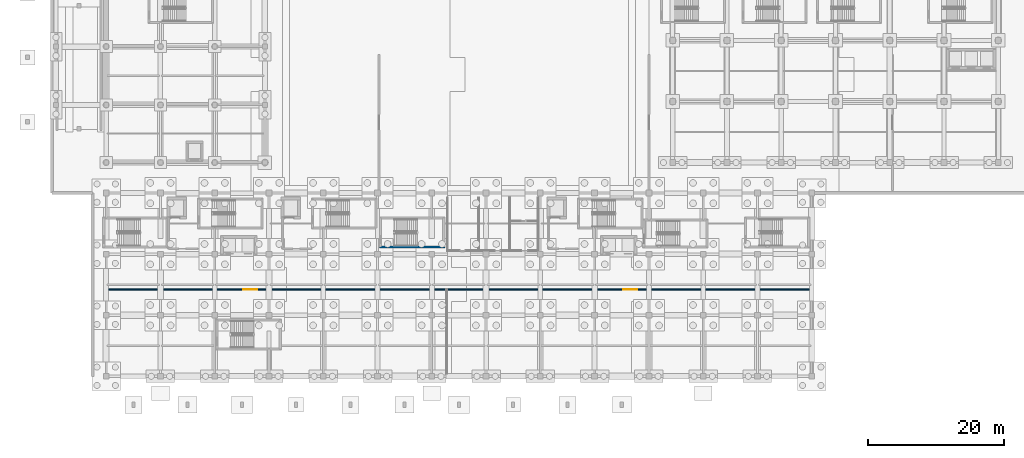
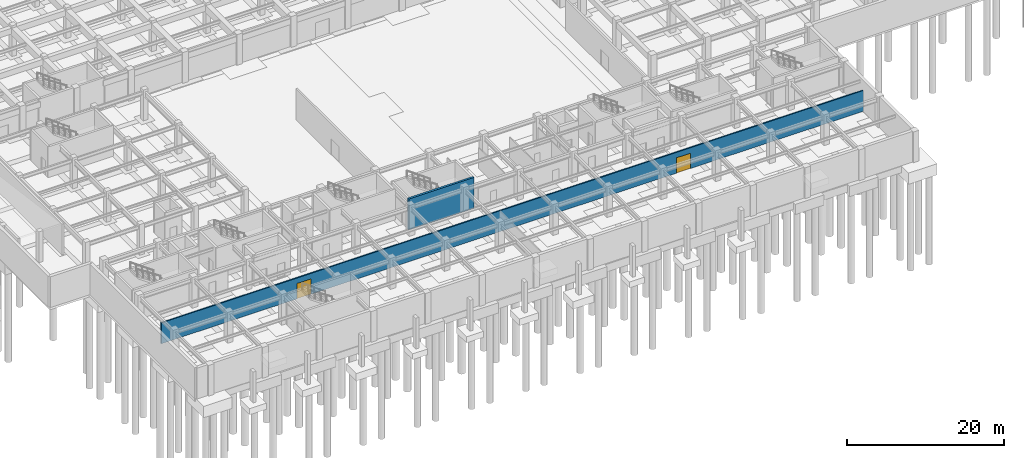
# One storey, part 28 of 48: 2 doors, 2 walls, 2 openings.
"""IFC4 building model written with IfcOpenShell, lengths in metres."""

from ifc_helpers import new_model, si_unit, direction, frame, frame_2d, origin, place, context, subcontext, project, spatial, rectangle, extrude, material, layer, layer_set, type_object, element, fill, save


model = new_model("IFC4")

# Units and contexts
model_context = context("Model", 3, precision=1e-05, world=origin(), true_north=direction((0.0, 1.0)))
body_context = subcontext(model_context, "Body", "Model", "MODEL_VIEW")
ifc_project = project(units=[si_unit("LENGTHUNIT", "METRE"), si_unit("AREAUNIT", "SQUARE_METRE"), si_unit("VOLUMEUNIT", "CUBIC_METRE"), si_unit("PLANEANGLEUNIT", "RADIAN"), si_unit("MASSUNIT", "GRAM", prefix="KILO")], contexts=[model_context])

# Site, building, storey
site_placement = place(None, origin())
site = spatial("IfcSite", under=ifc_project, at=site_placement, CompositionType="ELEMENT")
building_placement = place(site_placement, origin())
building = spatial("IfcBuilding", under=site, at=building_placement, Name="Tlacozan Convention Centre", CompositionType="ELEMENT")
storey_placement = place(building_placement, frame((0.0, 0.0, -4.800048828125)))
storey = spatial("IfcBuildingStorey", under=building, at=storey_placement, Name="B01", CompositionType="ELEMENT", Elevation=-4.800048828125)

# Wall, openings, doors
ifc_material_1 = material(Name="Fire-Rated Gypsum Stud Partition Assembly")
ifc_layer_1 = layer(ifc_material_1, 0.179931640625)
ifc_layer_set_1 = layer_set([ifc_layer_1], Name="Fire-Rated Gypsum Stud Partition Assembly")
wall_type_1 = type_object("IfcWallType", Name="Corridor Rated Partition 180", PredefinedType="PARTITIONING", material=ifc_layer_set_1)
wall_1_placement = place(storey_placement, frame((8.199951171875, 12.800048828125, 0.0), z_axis=(0.0, 0.0, 1.0), x_axis=(1.0, 0.0, 0.0)))
wall_1 = element("IfcWall", 1, at=wall_1_placement, inside=storey, type_object=wall_type_1, Name="B01 Corridor Rated Partition 180 561", PredefinedType="PARTITIONING", context=body_context, shape_type="SweptSolid", body=[
    extrude(rectangle(XDim=103.60009765625, YDim=0.179931640625, at=frame_2d((51.800048828125, 0.0))), origin(), (0.0, 0.0, 1.0), 3.25),
])
opening_1_placement = place(wall_1_placement, frame((20.0, 0.0, 0.0)))
opening_1 = element("IfcOpeningElement", 2, at=opening_1_placement, cuts=wall_1, Name="Opening FD-04", PredefinedType="OPENING", context=body_context, shape_type="SweptSolid", body=[
    extrude(rectangle(XDim=2.10009765625, YDim=2.39990234375, at=frame_2d((1.050048828125, 1.199951171875))), frame((0.0, 0.099853515625, 0.0), z_axis=(0.0, -1.0, 0.0), x_axis=(1.0, 0.0, 0.0)), (0.0, 0.0, 1.0), 0.199951171875),
])
opening_2_placement = place(wall_1_placement, frame((76.0, 0.0, 0.0)))
opening_2 = element("IfcOpeningElement", 3, at=opening_2_placement, cuts=wall_1, Name="Opening FD-04", PredefinedType="OPENING", context=body_context, shape_type="SweptSolid", body=[
    extrude(rectangle(XDim=2.10009765625, YDim=2.39990234375, at=frame_2d((1.050048828125, 1.199951171875))), frame((0.0, 0.099853515625, 0.0), z_axis=(0.0, -1.0, 0.0), x_axis=(1.0, 0.0, 0.0)), (0.0, 0.0, 1.0), 0.199951171875),
])
ifc_material_2 = material(Name="Fire-Rated Insulated Steel Door Leaf", Category="steel")
door_type = type_object("IfcDoorType", Name="Fire Door Compartment Double 2100x2400 FD90", OperationType="DOUBLE_DOOR_SINGLE_SWING", PredefinedType="DOOR", material=ifc_material_2)
door_1_placement = place(opening_1_placement, origin())
door_1 = element("IfcDoor", 4, at=door_1_placement, inside=storey, type_object=door_type, Name="B01 Fire Door Compartment Double 2100x2400 FD90 146", OperationType="DOUBLE_DOOR_SINGLE_SWING", OverallHeight=2.39990234375, OverallWidth=2.10009765625, PredefinedType="DOOR", context=body_context, shape_type="SweptSolid", body=[
    extrude(rectangle(XDim=2.10009765625, YDim=2.39990234375, at=frame_2d((1.050048828125, 1.199951171875))), frame((0.0, 0.02490234375, 0.0), z_axis=(0.0, -1.0, 0.0), x_axis=(1.0, 0.0, 0.0)), (0.0, 0.0, 1.0), 0.050048828125),
])
fill(opening_1, door_1)
door_2_placement = place(opening_2_placement, origin())
door_2 = element("IfcDoor", 5, at=door_2_placement, inside=storey, type_object=door_type, Name="B01 Fire Door Compartment Double 2100x2400 FD90 147", OperationType="DOUBLE_DOOR_SINGLE_SWING", OverallHeight=2.39990234375, OverallWidth=2.10009765625, PredefinedType="DOOR", context=body_context, shape_type="SweptSolid", body=[
    extrude(rectangle(XDim=2.10009765625, YDim=2.39990234375, at=frame_2d((1.050048828125, 1.199951171875))), frame((0.0, 0.02490234375, 0.0), z_axis=(0.0, -1.0, 0.0), x_axis=(1.0, 0.0, 0.0)), (0.0, 0.0, 1.0), 0.050048828125),
])
fill(opening_2, door_2)

# Wall
ifc_material_3 = material(Name="Concrete C40/50", Category="concrete")
ifc_layer_2 = layer(ifc_material_3, 0.31005859375)
ifc_layer_set_2 = layer_set([ifc_layer_2], Name="Concrete C40/50")
wall_type_2 = type_object("IfcWallType", Name="Stair Shaft Shear Wall RC 310", PredefinedType="SHEAR", material=ifc_layer_set_2)
wall_2_placement = place(storey_placement, frame((48.284912109375, 19.0400390625, 0.0), z_axis=(0.0, 0.0, 1.0), x_axis=(1.0, 0.0, 0.0)))
element("IfcWall", 6, at=wall_2_placement, inside=storey, type_object=wall_type_2, Name="B01 Stair Shaft Shear Wall RC 310 309", PredefinedType="SHEAR", context=body_context, shape_type="SweptSolid", body=[
    extrude(rectangle(XDim=9.630126953125, YDim=0.31005859375, at=frame_2d((4.81494140625, 0.0))), origin(), (0.0, 0.0, 1.0), 4.800048828125),
])

save(model, "model.ifc")
